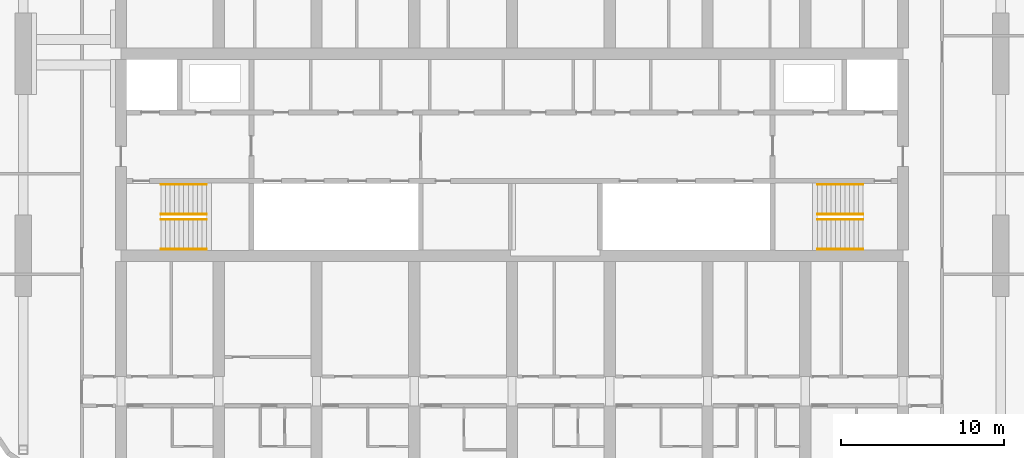
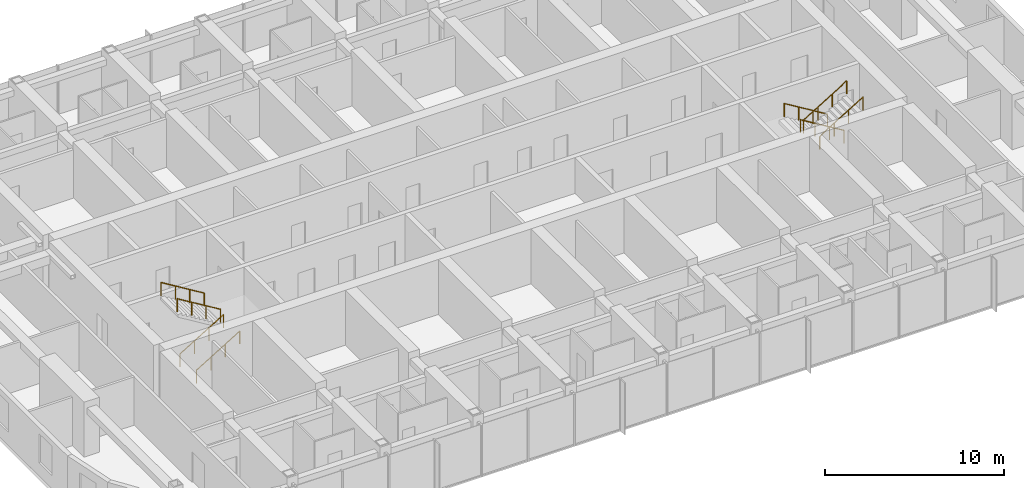
# One storey, part 23 of 23: 8 railings.
"""IFC4 building model written with IfcOpenShell, lengths in metres."""

from ifc_helpers import new_model, si_unit, direction, frame, origin, origin_2d, place, context, subcontext, project, spatial, circle, extrude, material, type_object, element, save


model = new_model("IFC4")

# Units and contexts
model_context = context("Model", 3, precision=1e-05, world=origin(), true_north=direction((0.0, 1.0)))
body_context = subcontext(model_context, "Body", "Model", "MODEL_VIEW")
ifc_project = project(units=[si_unit("LENGTHUNIT", "METRE"), si_unit("AREAUNIT", "SQUARE_METRE"), si_unit("VOLUMEUNIT", "CUBIC_METRE"), si_unit("PLANEANGLEUNIT", "RADIAN"), si_unit("MASSUNIT", "GRAM", prefix="KILO")], contexts=[model_context])

# Site, building, storey
site_placement = place(None, origin())
site = spatial("IfcSite", under=ifc_project, at=site_placement, CompositionType="ELEMENT")
building_placement = place(site_placement, origin())
building = spatial("IfcBuilding", under=site, at=building_placement, Name="Orbita Commons", CompositionType="ELEMENT")
storey_placement = place(building_placement, frame((0.0, 0.0, 212.800048828125)))
storey = spatial("IfcBuildingStorey", under=building, at=storey_placement, Name="L52", CompositionType="ELEMENT", Elevation=212.800048828125)

# Railings
ifc_material = material(Name="Steel tube, painted", Category="steel")
railing_type = type_object("IfcRailingType", Name="Stair handrail steel tube 900", PredefinedType="HANDRAIL", material=ifc_material)
for number, where, name in (
    (1, (20.449951171875, 28.0400390625, 0.17041015625), "Stair S1 handrail L52 flight 1"),
    (2, (20.449951171875, 26.2099609375, 0.17041015625), "Stair S1 handrail L52 flight 1"),
):
    element("IfcRailing", number, at=place(storey_placement, frame(where)), inside=storey, type_object=railing_type, Name=name, PredefinedType="HANDRAIL", context=body_context, shape_type="SweptSolid", body=[
        extrude(circle(Radius=0.02099609375, at=origin_2d()), frame((0.0, 0.0, 0.87890625), z_axis=(0.854169791009, 0.0, 0.51999420009), x_axis=(0.0, 1.0, 0.0)), (0.0, 0.0, 1.0), 3.278076171875),
        extrude(circle(Radius=0.02001953125, at=origin_2d()), origin(), (0.0, 0.0, 1.0), 0.85791015625),
        extrude(circle(Radius=0.02001953125, at=origin_2d()), frame((0.933349609375, 0.0, 0.568115234375)), (0.0, 0.0, 1.0), 0.85791015625),
        extrude(circle(Radius=0.02001953125, at=origin_2d()), frame((1.86669921875, 0.0, 1.136474609375)), (0.0, 0.0, 1.0), 0.85791015625),
        extrude(circle(Radius=0.02001953125, at=origin_2d()), frame((2.800048828125, 0.0, 1.70458984375)), (0.0, 0.0, 1.0), 0.85791015625),
    ])
for number, where, name in (
    (3, (23.25, 28.360107421875, 2.04541015625), "Stair S1 handrail L52 flight 2"),
    (4, (23.25, 30.18994140625, 2.04541015625), "Stair S1 handrail L52 flight 2"),
    (5, (63.550048828125, 28.360107421875, 0.17041015625), "Stair S2 handrail L52 flight 1"),
    (6, (63.550048828125, 30.18994140625, 0.17041015625), "Stair S2 handrail L52 flight 1"),
):
    element("IfcRailing", number, at=place(storey_placement, frame(where)), inside=storey, type_object=railing_type, Name=name, PredefinedType="HANDRAIL", context=body_context, shape_type="SweptSolid", body=[
        extrude(circle(Radius=0.02099609375, at=origin_2d()), frame((0.0, 0.0, 0.87890625), z_axis=(-0.854169791009, 0.0, 0.51999420009), x_axis=(0.0, -1.0, 0.0)), (0.0, 0.0, 1.0), 3.278076171875),
        extrude(circle(Radius=0.02001953125, at=origin_2d()), origin(), (0.0, 0.0, 1.0), 0.85791015625),
        extrude(circle(Radius=0.02001953125, at=origin_2d()), frame((-0.933349609375, 0.0, 0.568115234375)), (0.0, 0.0, 1.0), 0.85791015625),
        extrude(circle(Radius=0.02001953125, at=origin_2d()), frame((-1.86669921875, 0.0, 1.136474609375)), (0.0, 0.0, 1.0), 0.85791015625),
        extrude(circle(Radius=0.02001953125, at=origin_2d()), frame((-2.800048828125, 0.0, 1.70458984375)), (0.0, 0.0, 1.0), 0.85791015625),
    ])
for number, where, name in (
    (7, (60.75, 28.0400390625, 2.04541015625), "Stair S2 handrail L52 flight 2"),
    (8, (60.75, 26.2099609375, 2.04541015625), "Stair S2 handrail L52 flight 2"),
):
    element("IfcRailing", number, at=place(storey_placement, frame(where)), inside=storey, type_object=railing_type, Name=name, PredefinedType="HANDRAIL", context=body_context, shape_type="SweptSolid", body=[
        extrude(circle(Radius=0.02099609375, at=origin_2d()), frame((0.0, 0.0, 0.87890625), z_axis=(0.854169791009, 0.0, 0.51999420009), x_axis=(0.0, 1.0, 0.0)), (0.0, 0.0, 1.0), 3.278076171875),
        extrude(circle(Radius=0.02001953125, at=origin_2d()), origin(), (0.0, 0.0, 1.0), 0.85791015625),
        extrude(circle(Radius=0.02001953125, at=origin_2d()), frame((0.933349609375, 0.0, 0.568115234375)), (0.0, 0.0, 1.0), 0.85791015625),
        extrude(circle(Radius=0.02001953125, at=origin_2d()), frame((1.86669921875, 0.0, 1.136474609375)), (0.0, 0.0, 1.0), 0.85791015625),
        extrude(circle(Radius=0.02001953125, at=origin_2d()), frame((2.800048828125, 0.0, 1.70458984375)), (0.0, 0.0, 1.0), 0.85791015625),
    ])

save(model, "model.ifc")
